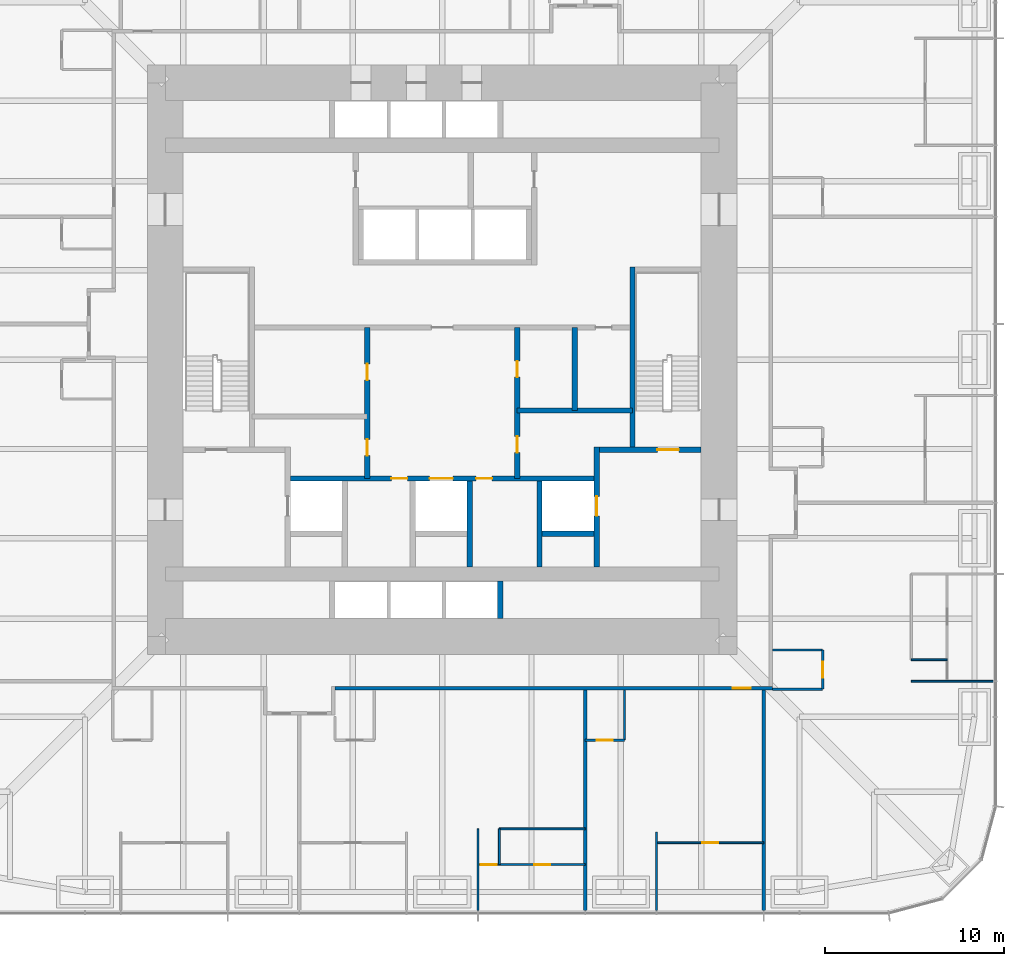
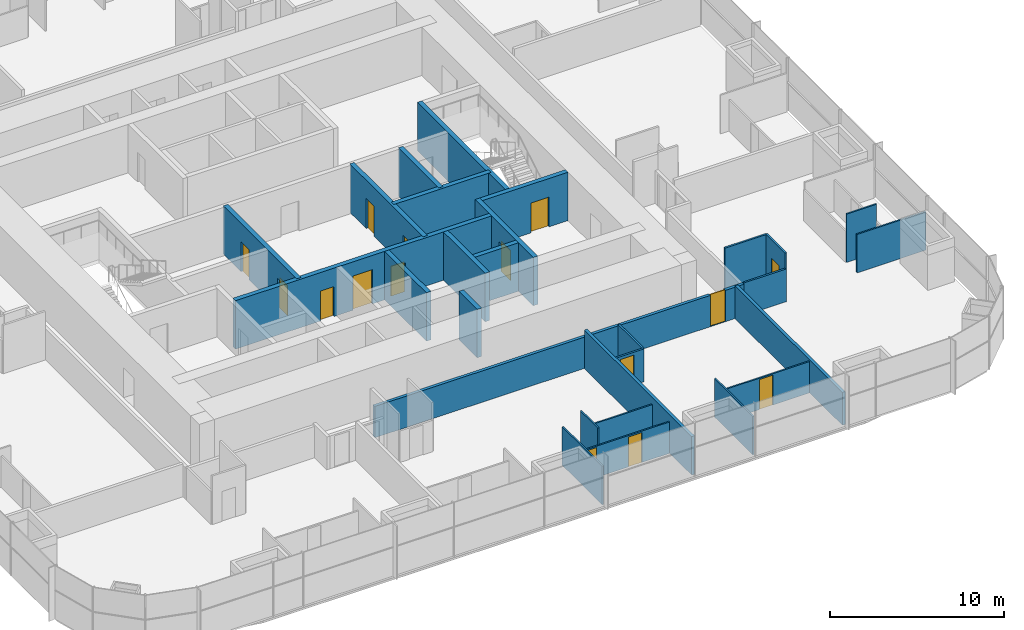
# One storey, part 13 of 17: 28 walls, 15 doors, 15 openings.
"""IFC4 building model written with IfcOpenShell, lengths in metres."""

from ifc_helpers import new_model, si_unit, direction, frame, frame_2d, origin, place, context, subcontext, project, spatial, rectangle, extrude, material, layer, layer_set, type_object, element, fill, save


model = new_model("IFC4")

# Units and contexts
model_context = context("Model", 3, precision=1e-05, world=origin(), true_north=direction((0.0, 1.0)))
body_context = subcontext(model_context, "Body", "Model", "MODEL_VIEW")
ifc_project = project(units=[si_unit("LENGTHUNIT", "METRE"), si_unit("AREAUNIT", "SQUARE_METRE"), si_unit("VOLUMEUNIT", "CUBIC_METRE"), si_unit("PLANEANGLEUNIT", "RADIAN"), si_unit("MASSUNIT", "GRAM", prefix="KILO")], contexts=[model_context])

# Site, building, storey
site_placement = place(None, origin())
site = spatial("IfcSite", under=ifc_project, at=site_placement, CompositionType="ELEMENT")
building_placement = place(site_placement, origin())
building = spatial("IfcBuilding", under=site, at=building_placement, Name="Khuree Lantern Residences", CompositionType="ELEMENT")
storey_placement = place(building_placement, frame((0.0, 0.0, 96.0)))
storey = spatial("IfcBuildingStorey", under=building, at=storey_placement, Name="L24", CompositionType="ELEMENT", Elevation=96.0)

# Wall, opening, door
ifc_material_1 = material(Name="Moisture-resistant gypsum board on steel studs", Category="steel")
ifc_layer_1 = layer(ifc_material_1, 0.125)
ifc_layer_set_1 = layer_set([ifc_layer_1], Name="BATHROOM WALL BTW125")
wall_type_1 = type_object("IfcWallType", Name="BATHROOM WALL BTW125", PredefinedType="PARTITIONING", material=ifc_layer_set_1)
wall_1_placement = place(storey_placement, frame((8.0, -21.300048828125, 0.0), z_axis=(0.0, 0.0, 1.0), x_axis=(1.0, 0.0, 0.0)))
wall_1 = element("IfcWall", 1, at=wall_1_placement, inside=storey, type_object=wall_type_1, Name="L24 BATHROOM WALL 10", PredefinedType="PARTITIONING", context=body_context, shape_type="SweptSolid", body=[
    extrude(rectangle(XDim=2.199951171875, YDim=0.125, at=frame_2d((1.10009765625, 0.0))), origin(), (0.0, 0.0, 1.0), 2.300048828125),
])
opening_1_placement = place(wall_1_placement, frame((0.64990234375, 0.0, 0.0)))
opening_1 = element("IfcOpeningElement", 2, at=opening_1_placement, cuts=wall_1, Name="Opening 24-057", PredefinedType="OPENING", context=body_context, shape_type="SweptSolid", body=[
    extrude(rectangle(XDim=0.89990234375, YDim=2.10009765625, at=frame_2d((0.449951171875, 1.050048828125))), frame((0.0, 0.072509765625, 0.0), z_axis=(0.0, -1.0, 0.0), x_axis=(1.0, 0.0, 0.0)), (0.0, 0.0, 1.0), 0.14501953125),
])
ifc_material_2 = material(Name="Timber door leaf in hardwood frame", Category="wood")
door_type_1 = type_object("IfcDoorType", Name="BATHROOM DOOR 900X2100", OperationType="SINGLE_SWING_LEFT", PredefinedType="DOOR", material=ifc_material_2)
door_1_placement = place(opening_1_placement, origin())
door_1 = element("IfcDoor", 3, at=door_1_placement, inside=storey, type_object=door_type_1, Name="Bathroom door 24-057", OperationType="SINGLE_SWING_LEFT", OverallHeight=2.10009765625, OverallWidth=0.89990234375, PredefinedType="DOOR", context=body_context, shape_type="SweptSolid", body=[
    extrude(rectangle(XDim=0.89990234375, YDim=2.10009765625, at=frame_2d((0.449951171875, 1.050048828125))), frame((0.0, 0.02490234375, 0.0), z_axis=(0.0, -1.0, 0.0), x_axis=(1.0, 0.0, 0.0)), (0.0, 0.0, 1.0), 0.050048828125),
])
fill(opening_1, door_1)

# Wall
wall_2_placement = place(storey_placement, frame((10.199951171875, -18.5, 0.0), z_axis=(0.0, 0.0, 1.0), x_axis=(0.0, -1.0, 0.0)))
element("IfcWall", 4, at=wall_2_placement, inside=storey, type_object=wall_type_1, Name="L24 BATHROOM WALL 10", PredefinedType="PARTITIONING", context=body_context, shape_type="SweptSolid", body=[
    extrude(rectangle(XDim=2.800048828125, YDim=0.125, at=frame_2d((1.39990234375, 0.0))), origin(), (0.0, 0.0, 1.0), 2.300048828125),
])

# Wall, opening, door
wall_3_placement = place(storey_placement, frame((21.300048828125, -18.449951171875, 0.0), z_axis=(0.0, 0.0, 1.0), x_axis=(0.0, 1.0, 0.0)))
wall_3 = element("IfcWall", 5, at=wall_3_placement, inside=storey, type_object=wall_type_1, Name="L24 BATHROOM WALL 11", PredefinedType="PARTITIONING", context=body_context, shape_type="SweptSolid", body=[
    extrude(rectangle(XDim=2.199951171875, YDim=0.125, at=frame_2d((1.10009765625, 0.0))), origin(), (0.0, 0.0, 1.0), 3.39990234375),
])
opening_2_placement = place(wall_3_placement, frame((0.64990234375, 0.0, 0.0)))
opening_2 = element("IfcOpeningElement", 6, at=opening_2_placement, cuts=wall_3, Name="Opening 24-061", PredefinedType="OPENING", context=body_context, shape_type="SweptSolid", body=[
    extrude(rectangle(XDim=0.89990234375, YDim=2.10009765625, at=frame_2d((0.449951171875, 1.050048828125))), frame((0.0, 0.072509765625, 0.0), z_axis=(0.0, -1.0, 0.0), x_axis=(1.0, 0.0, 0.0)), (0.0, 0.0, 1.0), 0.14501953125),
])
door_2_placement = place(opening_2_placement, origin())
door_2 = element("IfcDoor", 7, at=door_2_placement, inside=storey, type_object=door_type_1, Name="Bathroom door 24-061", OperationType="SINGLE_SWING_LEFT", OverallHeight=2.10009765625, OverallWidth=0.89990234375, PredefinedType="DOOR", context=body_context, shape_type="SweptSolid", body=[
    extrude(rectangle(XDim=0.89990234375, YDim=2.10009765625, at=frame_2d((0.449951171875, 1.050048828125))), frame((0.0, 0.02490234375, 0.0), z_axis=(0.0, -1.0, 0.0), x_axis=(1.0, 0.0, 0.0)), (0.0, 0.0, 1.0), 0.050048828125),
])
fill(opening_2, door_2)

# Walls
wall_4_placement = place(storey_placement, frame((18.5, -18.449951171875, 0.0), z_axis=(0.0, 0.0, 1.0), x_axis=(1.0, 0.0, 0.0)))
element("IfcWall", 8, at=wall_4_placement, inside=storey, type_object=wall_type_1, Name="L24 BATHROOM WALL 11", PredefinedType="PARTITIONING", context=body_context, shape_type="SweptSolid", body=[
    extrude(rectangle(XDim=2.800048828125, YDim=0.125, at=frame_2d((1.39990234375, 0.0))), origin(), (0.0, 0.0, 1.0), 2.300048828125),
])
wall_5_placement = place(storey_placement, frame((18.5, -16.25, 0.0), z_axis=(0.0, 0.0, 1.0), x_axis=(1.0, 0.0, 0.0)))
element("IfcWall", 9, at=wall_5_placement, inside=storey, type_object=wall_type_1, Name="L24 BATHROOM WALL 11", PredefinedType="PARTITIONING", context=body_context, shape_type="SweptSolid", body=[
    extrude(rectangle(XDim=2.800048828125, YDim=0.125, at=frame_2d((1.39990234375, 0.0))), origin(), (0.0, 0.0, 1.0), 3.39990234375),
])

# Wall, opening, door
ifc_material_3 = material(Name="Dense concrete blockwork", Category="masonry")
ifc_layer_2 = layer(ifc_material_3, 0.300048828125)
ifc_layer_set_2 = layer_set([ifc_layer_2], Name="CORE PARTITION WALL CPW300 EI 120")
wall_type_2 = type_object("IfcWallType", Name="CORE PARTITION WALL CPW300 EI 120", PredefinedType="PARTITIONING", material=ifc_layer_set_2)
wall_6_placement = place(storey_placement, frame((8.64990234375, -11.60009765625, 0.0), z_axis=(0.0, 0.0, 1.0), x_axis=(0.0, 1.0, 0.0)))
wall_6 = element("IfcWall", 10, at=wall_6_placement, inside=storey, type_object=wall_type_2, Name="L24 CORE WALL FL2E", PredefinedType="PARTITIONING", context=body_context, shape_type="SweptSolid", body=[
    extrude(rectangle(XDim=6.7001953125, YDim=0.300048828125, at=frame_2d((3.35009765625, 0.0))), origin(), (0.0, 0.0, 1.0), 3.39990234375),
])
opening_3_placement = place(wall_6_placement, frame((2.85009765625, 0.0, 0.0)))
opening_3 = element("IfcOpeningElement", 11, at=opening_3_placement, cuts=wall_6, Name="Opening 24-008", PredefinedType="OPENING", context=body_context, shape_type="SweptSolid", body=[
    extrude(rectangle(XDim=1.10009765625, YDim=2.10009765625, at=frame_2d((0.550048828125, 1.050048828125))), frame((0.0, 0.16015625, 0.0), z_axis=(0.0, -1.0, 0.0), x_axis=(1.0, 0.0, 0.0)), (0.0, 0.0, 1.0), 0.320068359375),
])
ifc_material_4 = material(Name="Stainless steel lift landing door", Category="steel")
door_type_2 = type_object("IfcDoorType", Name="LIFT LANDING DOOR 1100X2100 E 120", OperationType="DOUBLE_DOOR_SLIDING", PredefinedType="DOOR", material=ifc_material_4)
door_3_placement = place(opening_3_placement, origin())
door_3 = element("IfcDoor", 12, at=door_3_placement, inside=storey, type_object=door_type_2, Name="Landing door FL2 24-008", OperationType="DOUBLE_DOOR_SLIDING", OverallHeight=2.10009765625, OverallWidth=1.10009765625, PredefinedType="DOOR", context=body_context, shape_type="SweptSolid", body=[
    extrude(rectangle(XDim=1.10009765625, YDim=2.10009765625, at=frame_2d((0.550048828125, 1.050048828125))), frame((0.0, 0.02490234375, 0.0), z_axis=(0.0, -1.0, 0.0), x_axis=(1.0, 0.0, 0.0)), (0.0, 0.0, 1.0), 0.050048828125),
])
fill(opening_3, door_3)

# Wall, openings, doors
wall_7_placement = place(storey_placement, frame((-8.5, -6.64990234375, 0.0), z_axis=(0.0, 0.0, 1.0), x_axis=(1.0, 0.0, 0.0)))
wall_7 = element("IfcWall", 13, at=wall_7_placement, inside=storey, type_object=wall_type_2, Name="L24 CORE WALL FLROW", PredefinedType="PARTITIONING", context=body_context, shape_type="SweptSolid", body=[
    extrude(rectangle(XDim=17.0, YDim=0.300048828125, at=frame_2d((8.5, 0.0))), origin(), (0.0, 0.0, 1.0), 3.39990234375),
])
opening_4_placement = place(wall_7_placement, frame((7.800048828125, 0.0, 0.0)))
opening_4 = element("IfcOpeningElement", 14, at=opening_4_placement, cuts=wall_7, Name="Opening 24-012", PredefinedType="OPENING", context=body_context, shape_type="SweptSolid", body=[
    extrude(rectangle(XDim=1.300048828125, YDim=2.39990234375, at=frame_2d((0.64990234375, 1.199951171875))), frame((0.0, 0.16015625, 0.0), z_axis=(0.0, -1.0, 0.0), x_axis=(1.0, 0.0, 0.0)), (0.0, 0.0, 1.0), 0.320068359375),
])
opening_5_placement = place(wall_7_placement, frame((5.64990234375, 0.0, 0.0)))
opening_5 = element("IfcOpeningElement", 15, at=opening_5_placement, cuts=wall_7, Name="Opening 24-014", PredefinedType="OPENING", context=body_context, shape_type="SweptSolid", body=[
    extrude(rectangle(XDim=0.89990234375, YDim=2.10009765625, at=frame_2d((0.449951171875, 1.050048828125))), frame((0.0, 0.16015625, 0.0), z_axis=(0.0, -1.0, 0.0), x_axis=(1.0, 0.0, 0.0)), (0.0, 0.0, 1.0), 0.320068359375),
])
opening_6_placement = place(wall_7_placement, frame((10.39990234375, 0.0, 0.0)))
opening_6 = element("IfcOpeningElement", 16, at=opening_6_placement, cuts=wall_7, Name="Opening 24-015", PredefinedType="OPENING", context=body_context, shape_type="SweptSolid", body=[
    extrude(rectangle(XDim=0.89990234375, YDim=2.10009765625, at=frame_2d((0.449951171875, 1.050048828125))), frame((0.0, 0.16015625, 0.0), z_axis=(0.0, -1.0, 0.0), x_axis=(1.0, 0.0, 0.0)), (0.0, 0.0, 1.0), 0.320068359375),
])
ifc_material_5 = material(Name="Steel door leaf in steel frame", Category="steel")
door_type_3 = type_object("IfcDoorType", Name="DOOR 900X2100 EI 60", OperationType="SINGLE_SWING_LEFT", PredefinedType="DOOR", material=ifc_material_5)
door_4_placement = place(opening_5_placement, origin())
door_4 = element("IfcDoor", 17, at=door_4_placement, inside=storey, type_object=door_type_3, Name="Refuse chute room door 24-014", OperationType="SINGLE_SWING_LEFT", OverallHeight=2.10009765625, OverallWidth=0.89990234375, PredefinedType="DOOR", context=body_context, shape_type="SweptSolid", body=[
    extrude(rectangle(XDim=0.89990234375, YDim=2.10009765625, at=frame_2d((0.449951171875, 1.050048828125))), frame((0.0, 0.02490234375, 0.0), z_axis=(0.0, -1.0, 0.0), x_axis=(1.0, 0.0, 0.0)), (0.0, 0.0, 1.0), 0.050048828125),
])
fill(opening_5, door_4)
door_type_4 = type_object("IfcDoorType", Name="DOOR 900X2100 EI 60 RIGHT HAND", OperationType="SINGLE_SWING_RIGHT", PredefinedType="DOOR", material=ifc_material_5)
door_5_placement = place(opening_6_placement, origin())
door_5 = element("IfcDoor", 18, at=door_5_placement, inside=storey, type_object=door_type_4, Name="Electrical and plumbing riser door 24-015", OperationType="SINGLE_SWING_RIGHT", OverallHeight=2.10009765625, OverallWidth=0.89990234375, PredefinedType="DOOR", context=body_context, shape_type="SweptSolid", body=[
    extrude(rectangle(XDim=0.89990234375, YDim=2.10009765625, at=frame_2d((0.449951171875, 1.050048828125))), frame((0.0, 0.02490234375, 0.0), z_axis=(0.0, -1.0, 0.0), x_axis=(1.0, 0.0, 0.0)), (0.0, 0.0, 1.0), 0.050048828125),
])
fill(opening_6, door_5)
door_type_5 = type_object("IfcDoorType", Name="LIFT LANDING DOOR 1300X2400 E 60", OperationType="DOUBLE_DOOR_SLIDING", PredefinedType="DOOR", material=ifc_material_4)
door_6_placement = place(opening_4_placement, origin())
door_6 = element("IfcDoor", 19, at=door_6_placement, inside=storey, type_object=door_type_5, Name="Landing door SL1 24-012", OperationType="DOUBLE_DOOR_SLIDING", OverallHeight=2.39990234375, OverallWidth=1.300048828125, PredefinedType="DOOR", context=body_context, shape_type="SweptSolid", body=[
    extrude(rectangle(XDim=1.300048828125, YDim=2.39990234375, at=frame_2d((0.64990234375, 1.199951171875))), frame((0.0, 0.02490234375, 0.0), z_axis=(0.0, -1.0, 0.0), x_axis=(1.0, 0.0, 0.0)), (0.0, 0.0, 1.0), 0.050048828125),
])
fill(opening_4, door_6)

# Walls
for number, where, z_axis, x_axis, name in (
    (20, (1.550048828125, -11.60009765625, 0.0), (0.0, 0.0, 1.0), (0.0, 1.0, 0.0), "L24 CORE WALL SL1E"),
    (21, (5.449951171875, -11.60009765625, 0.0), (0.0, 0.0, 1.0), (0.0, 1.0, 0.0), "L24 CORE WALL FL2W"),
):
    element("IfcWall", number, at=place(storey_placement, frame(where, z_axis=z_axis, x_axis=x_axis)), inside=storey, type_object=wall_type_2, Name=name, PredefinedType="PARTITIONING", context=body_context, shape_type="SweptSolid", body=[
        extrude(rectangle(XDim=4.800048828125, YDim=0.300048828125, at=frame_2d((2.39990234375, 0.0))), origin(), (0.0, 0.0, 1.0), 3.39990234375),
    ])
wall_8_placement = place(storey_placement, frame((5.60009765625, -9.75, 0.0), z_axis=(0.0, 0.0, 1.0), x_axis=(1.0, 0.0, 0.0)))
element("IfcWall", 22, at=wall_8_placement, inside=storey, type_object=wall_type_2, Name="L24 CORE WALL FL2S", PredefinedType="PARTITIONING", context=body_context, shape_type="SweptSolid", body=[
    extrude(rectangle(XDim=2.89990234375, YDim=0.300048828125, at=frame_2d((1.449951171875, 0.0))), origin(), (0.0, 0.0, 1.0), 3.39990234375),
])
wall_9_placement = place(storey_placement, frame((3.25, -14.5, 0.0), z_axis=(0.0, 0.0, 1.0), x_axis=(0.0, 1.0, 0.0)))
element("IfcWall", 23, at=wall_9_placement, inside=storey, type_object=wall_type_2, Name="L24 CORE WALL PME", PredefinedType="PARTITIONING", context=body_context, shape_type="SweptSolid", body=[
    extrude(rectangle(XDim=2.10009765625, YDim=0.300048828125, at=frame_2d((1.050048828125, 0.0))), origin(), (0.0, 0.0, 1.0), 3.39990234375),
])

# Wall, openings, doors
wall_10_placement = place(storey_placement, frame((-4.199951171875, -6.64990234375, 0.0), z_axis=(0.0, 0.0, 1.0), x_axis=(0.0, 1.0, 0.0)))
wall_10 = element("IfcWall", 24, at=wall_10_placement, inside=storey, type_object=wall_type_2, Name="L24 CORE WALL SVW", PredefinedType="PARTITIONING", context=body_context, shape_type="SweptSolid", body=[
    extrude(rectangle(XDim=8.449951171875, YDim=0.300048828125, at=frame_2d((4.22509765625, 0.0))), origin(), (0.0, 0.0, 1.0), 3.39990234375),
])
opening_7_placement = place(wall_10_placement, frame((1.284912109375, 0.0, 0.0)))
opening_7 = element("IfcOpeningElement", 25, at=opening_7_placement, cuts=wall_10, Name="Opening 24-016", PredefinedType="OPENING", context=body_context, shape_type="SweptSolid", body=[
    extrude(rectangle(XDim=0.89990234375, YDim=2.10009765625, at=frame_2d((0.449951171875, 1.050048828125))), frame((0.0, 0.16015625, 0.0), z_axis=(0.0, -1.0, 0.0), x_axis=(1.0, 0.0, 0.0)), (0.0, 0.0, 1.0), 0.320068359375),
])
opening_8_placement = place(wall_10_placement, frame((5.510009765625, 0.0, 0.0)))
opening_8 = element("IfcOpeningElement", 26, at=opening_8_placement, cuts=wall_10, Name="Opening 24-017", PredefinedType="OPENING", context=body_context, shape_type="SweptSolid", body=[
    extrude(rectangle(XDim=0.89990234375, YDim=2.10009765625, at=frame_2d((0.449951171875, 1.050048828125))), frame((0.0, 0.16015625, 0.0), z_axis=(0.0, -1.0, 0.0), x_axis=(1.0, 0.0, 0.0)), (0.0, 0.0, 1.0), 0.320068359375),
])
door_type_6 = type_object("IfcDoorType", Name="DOOR 900X2100", OperationType="SINGLE_SWING_LEFT", PredefinedType="DOOR", material=ifc_material_2)
door_7_placement = place(opening_7_placement, origin())
door_7 = element("IfcDoor", 27, at=door_7_placement, inside=storey, type_object=door_type_6, Name="Parcel room door 24-016", OperationType="SINGLE_SWING_LEFT", OverallHeight=2.10009765625, OverallWidth=0.89990234375, PredefinedType="DOOR", context=body_context, shape_type="SweptSolid", body=[
    extrude(rectangle(XDim=0.89990234375, YDim=2.10009765625, at=frame_2d((0.449951171875, 1.050048828125))), frame((0.0, 0.02490234375, 0.0), z_axis=(0.0, -1.0, 0.0), x_axis=(1.0, 0.0, 0.0)), (0.0, 0.0, 1.0), 0.050048828125),
])
fill(opening_7, door_7)
door_8_placement = place(opening_8_placement, origin())
door_8 = element("IfcDoor", 28, at=door_8_placement, inside=storey, type_object=door_type_6, Name="Residents' store door 24-017", OperationType="SINGLE_SWING_LEFT", OverallHeight=2.10009765625, OverallWidth=0.89990234375, PredefinedType="DOOR", context=body_context, shape_type="SweptSolid", body=[
    extrude(rectangle(XDim=0.89990234375, YDim=2.10009765625, at=frame_2d((0.449951171875, 1.050048828125))), frame((0.0, 0.02490234375, 0.0), z_axis=(0.0, -1.0, 0.0), x_axis=(1.0, 0.0, 0.0)), (0.0, 0.0, 1.0), 0.050048828125),
])
fill(opening_8, door_8)

wall_11_placement = place(storey_placement, frame((4.199951171875, -6.64990234375, 0.0), z_axis=(0.0, 0.0, 1.0), x_axis=(0.0, 1.0, 0.0)))
wall_11 = element("IfcWall", 29, at=wall_11_placement, inside=storey, type_object=wall_type_2, Name="L24 CORE WALL SVE", PredefinedType="PARTITIONING", context=body_context, shape_type="SweptSolid", body=[
    extrude(rectangle(XDim=8.449951171875, YDim=0.300048828125, at=frame_2d((4.22509765625, 0.0))), origin(), (0.0, 0.0, 1.0), 3.39990234375),
])
opening_9_placement = place(wall_11_placement, frame((1.450927734375, 0.0, 0.0)))
opening_9 = element("IfcOpeningElement", 30, at=opening_9_placement, cuts=wall_11, Name="Opening 24-018", PredefinedType="OPENING", context=body_context, shape_type="SweptSolid", body=[
    extrude(rectangle(XDim=0.89990234375, YDim=2.10009765625, at=frame_2d((0.449951171875, 1.050048828125))), frame((0.0, 0.16015625, 0.0), z_axis=(0.0, -1.0, 0.0), x_axis=(1.0, 0.0, 0.0)), (0.0, 0.0, 1.0), 0.320068359375),
])
opening_10_placement = place(wall_11_placement, frame((5.676025390625, 0.0, 0.0)))
opening_10 = element("IfcOpeningElement", 31, at=opening_10_placement, cuts=wall_11, Name="Opening 24-019", PredefinedType="OPENING", context=body_context, shape_type="SweptSolid", body=[
    extrude(rectangle(XDim=0.89990234375, YDim=2.10009765625, at=frame_2d((0.449951171875, 1.050048828125))), frame((0.0, 0.16015625, 0.0), z_axis=(0.0, -1.0, 0.0), x_axis=(1.0, 0.0, 0.0)), (0.0, 0.0, 1.0), 0.320068359375),
])
door_9_placement = place(opening_9_placement, origin())
door_9 = element("IfcDoor", 32, at=door_9_placement, inside=storey, type_object=door_type_6, Name="Parcel room door 24-018", OperationType="SINGLE_SWING_LEFT", OverallHeight=2.10009765625, OverallWidth=0.89990234375, PredefinedType="DOOR", context=body_context, shape_type="SweptSolid", body=[
    extrude(rectangle(XDim=0.89990234375, YDim=2.10009765625, at=frame_2d((0.449951171875, 1.050048828125))), frame((0.0, 0.02490234375, 0.0), z_axis=(0.0, -1.0, 0.0), x_axis=(1.0, 0.0, 0.0)), (0.0, 0.0, 1.0), 0.050048828125),
])
fill(opening_9, door_9)
door_type_7 = type_object("IfcDoorType", Name="DOOR 900X2100 RIGHT HAND", OperationType="SINGLE_SWING_RIGHT", PredefinedType="DOOR", material=ifc_material_2)
door_10_placement = place(opening_10_placement, origin())
door_10 = element("IfcDoor", 33, at=door_10_placement, inside=storey, type_object=door_type_7, Name="Housekeeping store door 24-019", OperationType="SINGLE_SWING_RIGHT", OverallHeight=2.10009765625, OverallWidth=0.89990234375, PredefinedType="DOOR", context=body_context, shape_type="SweptSolid", body=[
    extrude(rectangle(XDim=0.89990234375, YDim=2.10009765625, at=frame_2d((0.449951171875, 1.050048828125))), frame((0.0, 0.02490234375, 0.0), z_axis=(0.0, -1.0, 0.0), x_axis=(1.0, 0.0, 0.0)), (0.0, 0.0, 1.0), 0.050048828125),
])
fill(opening_10, door_10)

# Walls
wall_12_placement = place(storey_placement, frame((10.64990234375, -2.847900390625, 0.0), z_axis=(0.0, 0.0, 1.0), x_axis=(-1.0, 0.0, 0.0)))
element("IfcWall", 34, at=wall_12_placement, inside=storey, type_object=wall_type_2, Name="L24 CORE WALL EX", PredefinedType="PARTITIONING", context=body_context, shape_type="SweptSolid", body=[
    extrude(rectangle(XDim=6.449951171875, YDim=0.300048828125, at=frame_2d((3.22509765625, 0.0))), origin(), (0.0, 0.0, 1.0), 3.39990234375),
])
wall_13_placement = place(storey_placement, frame((7.425048828125, -2.847900390625, 0.0), z_axis=(0.0, 0.0, 1.0), x_axis=(0.0, 1.0, 0.0)))
element("IfcWall", 35, at=wall_13_placement, inside=storey, type_object=wall_type_2, Name="L24 CORE WALL EV", PredefinedType="PARTITIONING", context=body_context, shape_type="SweptSolid", body=[
    extrude(rectangle(XDim=4.64794921875, YDim=0.300048828125, at=frame_2d((2.323974609375, 0.0))), origin(), (0.0, 0.0, 1.0), 3.39990234375),
])

# Wall, opening, door
ifc_material_6 = material(Name="Gypsum board on steel studs", Category="steel")
ifc_layer_3 = layer(ifc_material_6, 0.199951171875)
ifc_layer_set_3 = layer_set([ifc_layer_3], Name="CORRIDOR WALL CRW200 EI 60")
wall_type_3 = type_object("IfcWallType", Name="CORRIDOR WALL CRW200 EI 60", PredefinedType="PARTITIONING", material=ifc_layer_set_3)
wall_14_placement = place(storey_placement, frame((18.5, -18.39990234375, 0.0), z_axis=(0.0, 0.0, 1.0), x_axis=(-1.0, 0.0, 0.0)))
wall_14 = element("IfcWall", 36, at=wall_14_placement, inside=storey, type_object=wall_type_3, Name="L24 CORRIDOR WALL SOUTH 1", PredefinedType="PARTITIONING", context=body_context, shape_type="SweptSolid", body=[
    extrude(rectangle(XDim=24.5, YDim=0.199951171875, at=frame_2d((12.25, 0.0))), origin(), (0.0, 0.0, 1.0), 2.199951171875),
])
opening_11_placement = place(wall_14_placement, frame((1.22998046875, 0.0, 0.0)))
opening_11 = element("IfcOpeningElement", 37, at=opening_11_placement, cuts=wall_14, Name="Opening 24-058", PredefinedType="OPENING", context=body_context, shape_type="SweptSolid", body=[
    extrude(rectangle(XDim=1.0, YDim=2.199951171875, at=frame_2d((0.5, 1.10009765625))), frame((0.0, 0.10986328125, 0.0), z_axis=(0.0, -1.0, 0.0), x_axis=(1.0, 0.0, 0.0)), (0.0, 0.0, 1.0), 0.219970703125),
])
door_type_8 = type_object("IfcDoorType", Name="APARTMENT ENTRANCE DOOR 1000X2200 EI 30S", OperationType="SINGLE_SWING_LEFT", PredefinedType="DOOR", material=ifc_material_2)
door_11_placement = place(opening_11_placement, origin())
door_11 = element("IfcDoor", 38, at=door_11_placement, inside=storey, type_object=door_type_8, Name="Apartment 10 entrance door 24-058", OperationType="SINGLE_SWING_LEFT", OverallHeight=2.199951171875, OverallWidth=1.0, PredefinedType="DOOR", context=body_context, shape_type="SweptSolid", body=[
    extrude(rectangle(XDim=1.0, YDim=2.199951171875, at=frame_2d((0.5, 1.10009765625))), frame((0.0, 0.02490234375, 0.0), z_axis=(0.0, -1.0, 0.0), x_axis=(1.0, 0.0, 0.0)), (0.0, 0.0, 1.0), 0.050048828125),
])
fill(opening_11, door_11)

# Walls
ifc_layer_4 = layer(ifc_material_6, 0.199951171875)
ifc_layer_set_4 = layer_set([ifc_layer_4], Name="DEMISING WALL DMW200 EI 90")
wall_type_4 = type_object("IfcWallType", Name="DEMISING WALL DMW200 EI 90", PredefinedType="PARTITIONING", material=ifc_layer_set_4)
wall_15_placement = place(storey_placement, frame((8.0, -18.5, 0.0), z_axis=(0.0, 0.0, 1.0), x_axis=(0.0, -1.0, 0.0)))
element("IfcWall", 39, at=wall_15_placement, inside=storey, type_object=wall_type_4, Name="L24 DEMISING WALL 10", PredefinedType="PARTITIONING", context=body_context, shape_type="SweptSolid", body=[
    extrude(rectangle(XDim=12.35009765625, YDim=0.199951171875, at=frame_2d((6.175048828125, 0.0))), origin(), (0.0, 0.0, 1.0), 2.699951171875),
])
wall_16_placement = place(storey_placement, frame((18.0, -18.5, 0.0), z_axis=(0.0, 0.0, 1.0), x_axis=(0.0, -1.0, 0.0)))
element("IfcWall", 40, at=wall_16_placement, inside=storey, type_object=wall_type_4, Name="L24 DEMISING WALL 11", PredefinedType="PARTITIONING", context=body_context, shape_type="SweptSolid", body=[
    extrude(rectangle(XDim=12.35009765625, YDim=0.199951171875, at=frame_2d((6.175048828125, 0.0))), origin(), (0.0, 0.0, 1.0), 2.300048828125),
])
ifc_layer_5 = layer(ifc_material_6, 0.10009765625)
ifc_layer_set_5 = layer_set([ifc_layer_5], Name="PARTITION PT100")
wall_type_5 = type_object("IfcWallType", Name="PARTITION PT100", PredefinedType="PARTITIONING", material=ifc_layer_set_5)
wall_17_placement = place(storey_placement, frame((2.0, -26.2666015625, 0.0), z_axis=(0.0, 0.0, 1.0), x_axis=(0.0, -1.0, 0.0)))
element("IfcWall", 41, at=wall_17_placement, inside=storey, type_object=wall_type_5, Name="L24 PARTITION 09", PredefinedType="PARTITIONING", context=body_context, shape_type="SweptSolid", body=[
    extrude(rectangle(XDim=4.58349609375, YDim=0.10009765625, at=frame_2d((2.291748046875, 0.0))), origin(), (0.0, 0.0, 1.0), 2.699951171875),
])
wall_18_placement = place(storey_placement, frame((12.0, -26.449951171875, 0.0), z_axis=(0.0, 0.0, 1.0), x_axis=(0.0, -1.0, 0.0)))
element("IfcWall", 42, at=wall_18_placement, inside=storey, type_object=wall_type_5, Name="L24 PARTITION 10", PredefinedType="PARTITIONING", context=body_context, shape_type="SweptSolid", body=[
    extrude(rectangle(XDim=4.400146484375, YDim=0.10009765625, at=frame_2d((2.2001953125, 0.0))), origin(), (0.0, 0.0, 1.0), 2.699951171875),
])
wall_19_placement = place(storey_placement, frame((26.2666015625, -18.0, 0.0), z_axis=(0.0, 0.0, 1.0), x_axis=(1.0, 0.0, 0.0)))
element("IfcWall", 43, at=wall_19_placement, inside=storey, type_object=wall_type_5, Name="L24 PARTITION 11", PredefinedType="PARTITIONING", context=body_context, shape_type="SweptSolid", body=[
    extrude(rectangle(XDim=4.58349609375, YDim=0.10009765625, at=frame_2d((2.291748046875, 0.0))), origin(), (0.0, 0.0, 1.0), 2.699951171875),
])

# Wall, openings, doors
wall_20_placement = place(storey_placement, frame((2.0, -28.2666015625, 0.0), z_axis=(0.0, 0.0, 1.0), x_axis=(1.0, 0.0, 0.0)))
wall_20 = element("IfcWall", 44, at=wall_20_placement, inside=storey, type_object=wall_type_5, Name="L24 PARTITION 09", PredefinedType="PARTITIONING", context=body_context, shape_type="SweptSolid", body=[
    extrude(rectangle(XDim=6.0, YDim=0.10009765625, at=frame_2d((3.0, 0.0))), origin(), (0.0, 0.0, 1.0), 2.199951171875),
])
opening_12_placement = place(wall_20_placement, frame((0.14990234375, 0.0, 0.0)))
opening_12 = element("IfcOpeningElement", 45, at=opening_12_placement, cuts=wall_20, Name="Opening 24-052", PredefinedType="OPENING", context=body_context, shape_type="SweptSolid", body=[
    extrude(rectangle(XDim=0.89990234375, YDim=2.10009765625, at=frame_2d((0.449951171875, 1.050048828125))), frame((0.0, 0.06005859375, 0.0), z_axis=(0.0, -1.0, 0.0), x_axis=(1.0, 0.0, 0.0)), (0.0, 0.0, 1.0), 0.1201171875),
])
opening_13_placement = place(wall_20_placement, frame((3.14990234375, 0.0, 0.0)))
opening_13 = element("IfcOpeningElement", 46, at=opening_13_placement, cuts=wall_20, Name="Opening 24-053", PredefinedType="OPENING", context=body_context, shape_type="SweptSolid", body=[
    extrude(rectangle(XDim=0.89990234375, YDim=2.10009765625, at=frame_2d((0.449951171875, 1.050048828125))), frame((0.0, 0.06005859375, 0.0), z_axis=(0.0, -1.0, 0.0), x_axis=(1.0, 0.0, 0.0)), (0.0, 0.0, 1.0), 0.1201171875),
])
door_type_9 = type_object("IfcDoorType", Name="BEDROOM DOOR 900X2100", OperationType="SINGLE_SWING_LEFT", PredefinedType="DOOR", material=ifc_material_2)
door_12_placement = place(opening_12_placement, origin())
door_12 = element("IfcDoor", 47, at=door_12_placement, inside=storey, type_object=door_type_9, Name="Bedroom door 24-052", OperationType="SINGLE_SWING_LEFT", OverallHeight=2.10009765625, OverallWidth=0.89990234375, PredefinedType="DOOR", context=body_context, shape_type="SweptSolid", body=[
    extrude(rectangle(XDim=0.89990234375, YDim=2.10009765625, at=frame_2d((0.449951171875, 1.050048828125))), frame((0.0, 0.02490234375, 0.0), z_axis=(0.0, -1.0, 0.0), x_axis=(1.0, 0.0, 0.0)), (0.0, 0.0, 1.0), 0.050048828125),
])
fill(opening_12, door_12)
door_13_placement = place(opening_13_placement, origin())
door_13 = element("IfcDoor", 48, at=door_13_placement, inside=storey, type_object=door_type_6, Name="Wardrobe door 24-053", OperationType="SINGLE_SWING_LEFT", OverallHeight=2.10009765625, OverallWidth=0.89990234375, PredefinedType="DOOR", context=body_context, shape_type="SweptSolid", body=[
    extrude(rectangle(XDim=0.89990234375, YDim=2.10009765625, at=frame_2d((0.449951171875, 1.050048828125))), frame((0.0, 0.02490234375, 0.0), z_axis=(0.0, -1.0, 0.0), x_axis=(1.0, 0.0, 0.0)), (0.0, 0.0, 1.0), 0.050048828125),
])
fill(opening_13, door_13)

# Walls
wall_21_placement = place(storey_placement, frame((3.199951171875, -26.2666015625, 0.0), z_axis=(0.0, 0.0, 1.0), x_axis=(0.0, -1.0, 0.0)))
element("IfcWall", 49, at=wall_21_placement, inside=storey, type_object=wall_type_5, Name="L24 PARTITION 09", PredefinedType="PARTITIONING", context=body_context, shape_type="SweptSolid", body=[
    extrude(rectangle(XDim=2.0, YDim=0.10009765625, at=frame_2d((1.0, 0.0))), origin(), (0.0, 0.0, 1.0), 3.39990234375),
])
wall_22_placement = place(storey_placement, frame((3.199951171875, -26.2666015625, 0.0), z_axis=(0.0, 0.0, 1.0), x_axis=(1.0, 0.0, 0.0)))
element("IfcWall", 50, at=wall_22_placement, inside=storey, type_object=wall_type_5, Name="L24 PARTITION 09", PredefinedType="PARTITIONING", context=body_context, shape_type="SweptSolid", body=[
    extrude(rectangle(XDim=4.800048828125, YDim=0.10009765625, at=frame_2d((2.39990234375, 0.0))), origin(), (0.0, 0.0, 1.0), 2.199951171875),
])

# Wall, opening, door
wall_23_placement = place(storey_placement, frame((12.0, -27.050048828125, 0.0), z_axis=(0.0, 0.0, 1.0), x_axis=(1.0, 0.0, 0.0)))
wall_23 = element("IfcWall", 51, at=wall_23_placement, inside=storey, type_object=wall_type_5, Name="L24 PARTITION 10", PredefinedType="PARTITIONING", context=body_context, shape_type="SweptSolid", body=[
    extrude(rectangle(XDim=6.0, YDim=0.10009765625, at=frame_2d((3.0, 0.0))), origin(), (0.0, 0.0, 1.0), 2.199951171875),
])
opening_14_placement = place(wall_23_placement, frame((2.550048828125, 0.0, 0.0)))
opening_14 = element("IfcOpeningElement", 52, at=opening_14_placement, cuts=wall_23, Name="Opening 24-056", PredefinedType="OPENING", context=body_context, shape_type="SweptSolid", body=[
    extrude(rectangle(XDim=0.89990234375, YDim=2.10009765625, at=frame_2d((0.449951171875, 1.050048828125))), frame((0.0, 0.06005859375, 0.0), z_axis=(0.0, -1.0, 0.0), x_axis=(1.0, 0.0, 0.0)), (0.0, 0.0, 1.0), 0.1201171875),
])
door_type_10 = type_object("IfcDoorType", Name="BEDROOM DOOR 900X2100 RIGHT HAND", OperationType="SINGLE_SWING_RIGHT", PredefinedType="DOOR", material=ifc_material_2)
door_14_placement = place(opening_14_placement, origin())
door_14 = element("IfcDoor", 53, at=door_14_placement, inside=storey, type_object=door_type_10, Name="Bedroom door 24-056", OperationType="SINGLE_SWING_RIGHT", OverallHeight=2.10009765625, OverallWidth=0.89990234375, PredefinedType="DOOR", context=body_context, shape_type="SweptSolid", body=[
    extrude(rectangle(XDim=0.89990234375, YDim=2.10009765625, at=frame_2d((0.449951171875, 1.050048828125))), frame((0.0, 0.02490234375, 0.0), z_axis=(0.0, -1.0, 0.0), x_axis=(1.0, 0.0, 0.0)), (0.0, 0.0, 1.0), 0.050048828125),
])
fill(opening_14, door_14)

# Walls
wall_24_placement = place(storey_placement, frame((26.2666015625, -16.800048828125, 0.0), z_axis=(0.0, 0.0, 1.0), x_axis=(1.0, 0.0, 0.0)))
element("IfcWall", 54, at=wall_24_placement, inside=storey, type_object=wall_type_5, Name="L24 PARTITION 11", PredefinedType="PARTITIONING", context=body_context, shape_type="SweptSolid", body=[
    extrude(rectangle(XDim=2.0, YDim=0.10009765625, at=frame_2d((1.0, 0.0))), origin(), (0.0, 0.0, 1.0), 3.39990234375),
])
ifc_material_7 = material(Name="Concrete C50/60", Category="concrete")
ifc_layer_6 = layer(ifc_material_7, 0.300048828125)
ifc_layer_set_6 = layer_set([ifc_layer_6], Name="STAIR WALL SRW300 C50/60 REI 240")
wall_type_6 = type_object("IfcWallType", Name="STAIR WALL SRW300 C50/60 REI 240", PredefinedType="SOLIDWALL", material=ifc_layer_set_6)
wall_25_placement = place(storey_placement, frame((10.64990234375, -4.89990234375, 0.0), z_axis=(0.0, 0.0, 1.0), x_axis=(0.0, 1.0, 0.0)))
element("IfcWall", 55, at=wall_25_placement, inside=storey, type_object=wall_type_6, Name="L24 STAIR WALL ST2E", PredefinedType="SOLIDWALL", context=body_context, shape_type="SweptSolid", body=[
    extrude(rectangle(XDim=10.099853515625, YDim=0.300048828125, at=frame_2d((5.0498046875, 0.0))), origin(), (0.0, 0.0, 1.0), 3.39990234375),
])

# Wall, opening, door
wall_26_placement = place(storey_placement, frame((14.5, -5.050048828125, 0.0), z_axis=(0.0, 0.0, 1.0), x_axis=(-1.0, 0.0, 0.0)))
wall_26 = element("IfcWall", 56, at=wall_26_placement, inside=storey, type_object=wall_type_6, Name="L24 STAIR WALL ST2S", PredefinedType="SOLIDWALL", context=body_context, shape_type="SweptSolid", body=[
    extrude(rectangle(XDim=5.699951171875, YDim=0.300048828125, at=frame_2d((2.85009765625, 0.0))), origin(), (0.0, 0.0, 1.0), 3.39990234375),
])
opening_15_placement = place(wall_26_placement, frame((1.25, 0.0, 0.0)))
opening_15 = element("IfcOpeningElement", 57, at=opening_15_placement, cuts=wall_26, Name="Opening 24-004", PredefinedType="OPENING", context=body_context, shape_type="SweptSolid", body=[
    extrude(rectangle(XDim=1.199951171875, YDim=2.10009765625, at=frame_2d((0.60009765625, 1.050048828125))), frame((0.0, 0.16015625, 0.0), z_axis=(0.0, -1.0, 0.0), x_axis=(1.0, 0.0, 0.0)), (0.0, 0.0, 1.0), 0.320068359375),
])
door_type_11 = type_object("IfcDoorType", Name="STAIR DOOR 1200X2100 EI 120", OperationType="SINGLE_SWING_LEFT", PredefinedType="DOOR", material=ifc_material_5)
door_15_placement = place(opening_15_placement, origin())
door_15 = element("IfcDoor", 58, at=door_15_placement, inside=storey, type_object=door_type_11, Name="Stair ST2 door 24-004", OperationType="SINGLE_SWING_LEFT", OverallHeight=2.10009765625, OverallWidth=1.199951171875, PredefinedType="DOOR", context=body_context, shape_type="SweptSolid", body=[
    extrude(rectangle(XDim=1.199951171875, YDim=2.10009765625, at=frame_2d((0.60009765625, 1.050048828125))), frame((0.0, 0.02490234375, 0.0), z_axis=(0.0, -1.0, 0.0), x_axis=(1.0, 0.0, 0.0)), (0.0, 0.0, 1.0), 0.050048828125),
])
fill(opening_15, door_15)

save(model, "model.ifc")
